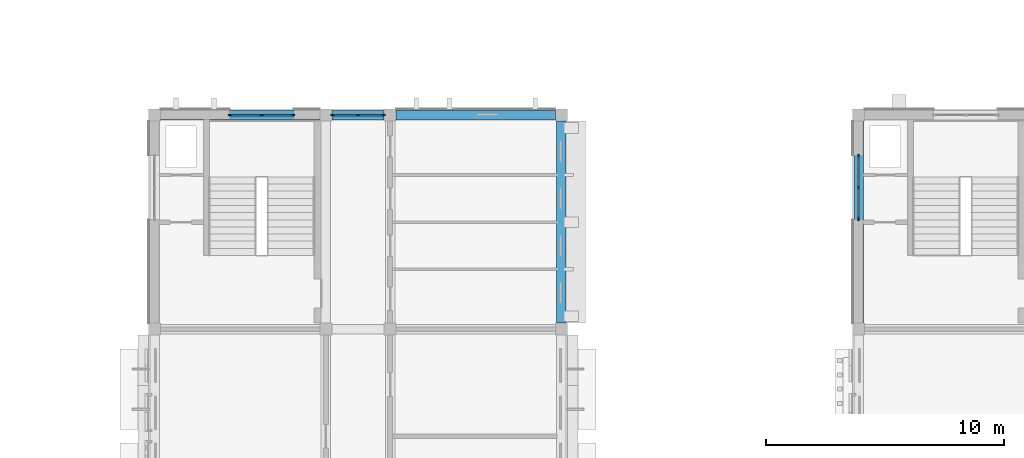
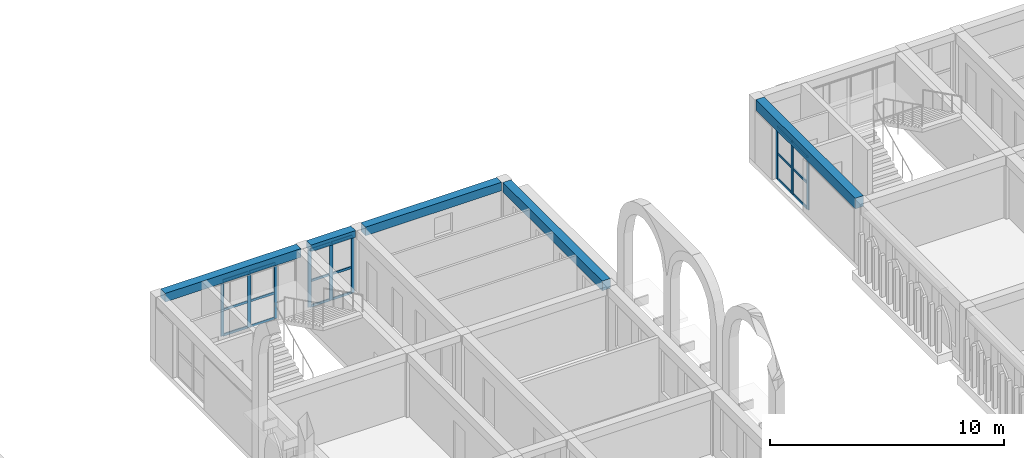
# One storey, part 21 of 70: 27 members, 5 beams, 3 elements without a shape of their own.
"""IFC4 building model written with IfcOpenShell, lengths in metres."""

from ifc_helpers import new_model, si_unit, direction, frame, origin, origin_2d, place, context, subcontext, project, spatial, rectangle, extrude, material, layer, layer_set, material_profile, profile_set, type_object, element, aggregate, save


model = new_model("IFC4")

# Units and contexts
model_context = context("Model", 3, precision=1e-05, world=origin(), true_north=direction((0.0, 1.0)))
body_context = subcontext(model_context, "Body", "Model", "MODEL_VIEW")
ifc_project = project(units=[si_unit("LENGTHUNIT", "METRE"), si_unit("AREAUNIT", "SQUARE_METRE"), si_unit("VOLUMEUNIT", "CUBIC_METRE"), si_unit("PLANEANGLEUNIT", "RADIAN"), si_unit("MASSUNIT", "GRAM", prefix="KILO")], contexts=[model_context])

# Site, building, storey
site_placement = place(None, origin())
site = spatial("IfcSite", under=ifc_project, at=site_placement, CompositionType="ELEMENT")
building_placement = place(site_placement, origin())
building = spatial("IfcBuilding", under=site, at=building_placement, Name="Elbe Cascade School", CompositionType="ELEMENT")
storey_placement = place(building_placement, frame((0.0, 0.0, 8.10009765625)))
storey = spatial("IfcBuildingStorey", under=building, at=storey_placement, Name="L02", CompositionType="ELEMENT", Elevation=8.10009765625)

# Curtain wall, members
ifc_material_1 = material(Name="Aluminium frame with double glazing, bronze anodised", Category="aluminium")
ifc_layer = layer(ifc_material_1, 0.159912109375)
ifc_layer_set = layer_set([ifc_layer], Name="Aluminium frame with double glazing, bronze anodised")
curtain_wall_type = type_object("IfcCurtainWallType", Name="Bars envelope Curtain wall, aluminium, bronze anodised, storey-high slot", PredefinedType="NOTDEFINED", material=ifc_layer_set)
curtain_wall_1_placement = place(storey_placement, origin())
curtain_wall_1 = element("IfcCurtainWall", 1, at=curtain_wall_1_placement, inside=storey, type_object=curtain_wall_type, Name="Curtain wall CW4 B.L02.n1", PredefinedType="NOTDEFINED")
ifc_material_2 = material(Name="Aluminium mullion, bronze anodised", Category="aluminium")
ifc_material_profile_1 = material_profile(ifc_material_2, rectangle(XDim=0.06005859375, YDim=0.159912109375, at=origin_2d()), Name="Bars envelope Curtain wall mullion 60 x 160, aluminium, storey-high slot")
ifc_profile_set_1 = profile_set([ifc_material_profile_1], Name="Aluminium mullion, bronze anodised")
member_type_1 = type_object("IfcMemberType", Name="Bars envelope Curtain wall mullion 60 x 160, aluminium, storey-high slot", PredefinedType="MULLION", material=ifc_profile_set_1)
member_1_placement = place(storey_placement, frame((101.780029296875, 60.0, 0.0), z_axis=(0.0, 0.0, 1.0), x_axis=(0.0, 1.0, 0.0)))
member_1 = element("IfcMember", 2, at=member_1_placement, type_object=member_type_1, Name="CW4 mullion 1", PredefinedType="MULLION", context=body_context, shape_type="SweptSolid", body=[
    extrude(rectangle(XDim=0.06005859375, YDim=0.159912109375, at=origin_2d()), origin(), (0.0, 0.0, 1.0), 2.89990234375),
])
member_2_placement = place(storey_placement, frame((103.10009765625, 60.0, 0.0), z_axis=(0.0, 0.0, 1.0), x_axis=(0.0, 1.0, 0.0)))
member_2 = element("IfcMember", 3, at=member_2_placement, type_object=member_type_1, Name="CW4 mullion 2", PredefinedType="MULLION", context=body_context, shape_type="SweptSolid", body=[
    extrude(rectangle(XDim=0.06005859375, YDim=0.159912109375, at=origin_2d()), origin(), (0.0, 0.0, 1.0), 2.89990234375),
])
member_3_placement = place(storey_placement, frame((104.419921875, 60.0, 0.0), z_axis=(0.0, 0.0, 1.0), x_axis=(0.0, 1.0, 0.0)))
member_3 = element("IfcMember", 4, at=member_3_placement, type_object=member_type_1, Name="CW4 mullion 3", PredefinedType="MULLION", context=body_context, shape_type="SweptSolid", body=[
    extrude(rectangle(XDim=0.06005859375, YDim=0.159912109375, at=origin_2d()), origin(), (0.0, 0.0, 1.0), 2.89990234375),
])

curtain_wall_2_placement = place(storey_placement, origin())
curtain_wall_2 = element("IfcCurtainWall", 5, at=curtain_wall_2_placement, inside=storey, type_object=curtain_wall_type, Name="Curtain wall CW4 B.L02.n2", PredefinedType="NOTDEFINED")
member_4_placement = place(storey_placement, frame((106.080078125, 60.0, 0.0), z_axis=(0.0, 0.0, 1.0), x_axis=(0.0, 1.0, 0.0)))
member_4 = element("IfcMember", 6, at=member_4_placement, type_object=member_type_1, Name="CW4 mullion 1", PredefinedType="MULLION", context=body_context, shape_type="SweptSolid", body=[
    extrude(rectangle(XDim=0.06005859375, YDim=0.159912109375, at=origin_2d()), origin(), (0.0, 0.0, 1.0), 3.0),
])
member_5_placement = place(storey_placement, frame((107.14990234375, 60.0, 0.0), z_axis=(0.0, 0.0, 1.0), x_axis=(0.0, 1.0, 0.0)))
member_5 = element("IfcMember", 7, at=member_5_placement, type_object=member_type_1, Name="CW4 mullion 2", PredefinedType="MULLION", context=body_context, shape_type="SweptSolid", body=[
    extrude(rectangle(XDim=0.06005859375, YDim=0.159912109375, at=origin_2d()), origin(), (0.0, 0.0, 1.0), 3.0),
])
member_6_placement = place(storey_placement, frame((108.219970703125, 60.0, 0.0), z_axis=(0.0, 0.0, 1.0), x_axis=(0.0, 1.0, 0.0)))
member_6 = element("IfcMember", 8, at=member_6_placement, type_object=member_type_1, Name="CW4 mullion 3", PredefinedType="MULLION", context=body_context, shape_type="SweptSolid", body=[
    extrude(rectangle(XDim=0.06005859375, YDim=0.159912109375, at=origin_2d()), origin(), (0.0, 0.0, 1.0), 3.0),
])

curtain_wall_3_placement = place(storey_placement, origin())
curtain_wall_3 = element("IfcCurtainWall", 9, at=curtain_wall_3_placement, inside=storey, type_object=curtain_wall_type, Name="Curtain wall CW4 C.L02.w6", PredefinedType="NOTDEFINED")
member_7_placement = place(storey_placement, frame((128.199951171875, 55.639892578125, 0.0), z_axis=(0.0, 0.0, 1.0), x_axis=(-1.0, 0.0, 0.0)))
member_7 = element("IfcMember", 10, at=member_7_placement, type_object=member_type_1, Name="CW4 mullion 1", PredefinedType="MULLION", context=body_context, shape_type="SweptSolid", body=[
    extrude(rectangle(XDim=0.06005859375, YDim=0.159912109375, at=origin_2d()), origin(), (0.0, 0.0, 1.0), 2.75),
])
member_8_placement = place(storey_placement, frame((128.199951171875, 56.9599609375, 0.0), z_axis=(0.0, 0.0, 1.0), x_axis=(-1.0, 0.0, 0.0)))
member_8 = element("IfcMember", 11, at=member_8_placement, type_object=member_type_1, Name="CW4 mullion 2", PredefinedType="MULLION", context=body_context, shape_type="SweptSolid", body=[
    extrude(rectangle(XDim=0.06005859375, YDim=0.159912109375, at=origin_2d()), origin(), (0.0, 0.0, 1.0), 2.75),
])
member_9_placement = place(storey_placement, frame((128.199951171875, 58.280029296875, 0.0), z_axis=(0.0, 0.0, 1.0), x_axis=(-1.0, 0.0, 0.0)))
member_9 = element("IfcMember", 12, at=member_9_placement, type_object=member_type_1, Name="CW4 mullion 3", PredefinedType="MULLION", context=body_context, shape_type="SweptSolid", body=[
    extrude(rectangle(XDim=0.06005859375, YDim=0.159912109375, at=origin_2d()), origin(), (0.0, 0.0, 1.0), 2.75),
])

# Member
ifc_material_3 = material(Name="Aluminium transom, bronze anodised", Category="aluminium")
ifc_material_profile_2 = material_profile(ifc_material_3, rectangle(XDim=0.06005859375, YDim=0.1201171875, at=origin_2d()), Name="Bars envelope Curtain wall transom 60 x 120, aluminium, storey-high slot")
ifc_profile_set_2 = profile_set([ifc_material_profile_2], Name="Aluminium transom, bronze anodised")
member_type_2 = type_object("IfcMemberType", Name="Bars envelope Curtain wall transom 60 x 120, aluminium, storey-high slot", PredefinedType="USERDEFINED", material=ifc_profile_set_2)
member_10_placement = place(storey_placement, frame((101.81005859375, 60.0, 0.02978515625), z_axis=(1.0, 0.0, 0.0), x_axis=(0.0, 1.0, 0.0)))
member_10 = element("IfcMember", 13, at=member_10_placement, type_object=member_type_2, Name="CW4 transom 1.1", ObjectType="TRANSOM", PredefinedType="USERDEFINED", context=body_context, shape_type="SweptSolid", body=[
    extrude(rectangle(XDim=0.06005859375, YDim=0.1201171875, at=origin_2d()), origin(), (0.0, 0.0, 1.0), 1.260009765625),
])

member_11_placement = place(storey_placement, frame((101.81005859375, 60.0, 1.349853515625), z_axis=(1.0, 0.0, 0.0), x_axis=(0.0, 1.0, 0.0)))
member_11 = element("IfcMember", 14, at=member_11_placement, type_object=member_type_2, Name="CW4 transom 1.2", ObjectType="TRANSOM", PredefinedType="USERDEFINED", context=body_context, shape_type="SweptSolid", body=[
    extrude(rectangle(XDim=0.06005859375, YDim=0.1201171875, at=origin_2d()), origin(), (0.0, 0.0, 1.0), 1.260009765625),
])

member_12_placement = place(storey_placement, frame((101.81005859375, 60.0, 2.869873046875), z_axis=(1.0, 0.0, 0.0), x_axis=(0.0, 1.0, 0.0)))
member_12 = element("IfcMember", 15, at=member_12_placement, type_object=member_type_2, Name="CW4 transom 1.3", ObjectType="TRANSOM", PredefinedType="USERDEFINED", context=body_context, shape_type="SweptSolid", body=[
    extrude(rectangle(XDim=0.06005859375, YDim=0.1201171875, at=origin_2d()), origin(), (0.0, 0.0, 1.0), 1.260009765625),
])

member_13_placement = place(storey_placement, frame((103.1298828125, 60.0, 0.02978515625), z_axis=(1.0, 0.0, 0.0), x_axis=(0.0, 1.0, 0.0)))
member_13 = element("IfcMember", 16, at=member_13_placement, type_object=member_type_2, Name="CW4 transom 2.1", ObjectType="TRANSOM", PredefinedType="USERDEFINED", context=body_context, shape_type="SweptSolid", body=[
    extrude(rectangle(XDim=0.06005859375, YDim=0.1201171875, at=origin_2d()), origin(), (0.0, 0.0, 1.0), 1.260009765625),
])

member_14_placement = place(storey_placement, frame((103.1298828125, 60.0, 1.349853515625), z_axis=(1.0, 0.0, 0.0), x_axis=(0.0, 1.0, 0.0)))
member_14 = element("IfcMember", 17, at=member_14_placement, type_object=member_type_2, Name="CW4 transom 2.2", ObjectType="TRANSOM", PredefinedType="USERDEFINED", context=body_context, shape_type="SweptSolid", body=[
    extrude(rectangle(XDim=0.06005859375, YDim=0.1201171875, at=origin_2d()), origin(), (0.0, 0.0, 1.0), 1.260009765625),
])

member_15_placement = place(storey_placement, frame((103.1298828125, 60.0, 2.869873046875), z_axis=(1.0, 0.0, 0.0), x_axis=(0.0, 1.0, 0.0)))
member_15 = element("IfcMember", 18, at=member_15_placement, type_object=member_type_2, Name="CW4 transom 2.3", ObjectType="TRANSOM", PredefinedType="USERDEFINED", context=body_context, shape_type="SweptSolid", body=[
    extrude(rectangle(XDim=0.06005859375, YDim=0.1201171875, at=origin_2d()), origin(), (0.0, 0.0, 1.0), 1.260009765625),
])

aggregate(curtain_wall_1, [member_1, member_2, member_3, member_10, member_11, member_12, member_13, member_14, member_15])

member_16_placement = place(storey_placement, frame((106.110107421875, 60.0, 0.02978515625), z_axis=(1.0, 0.0, 0.0), x_axis=(0.0, 1.0, 0.0)))
member_16 = element("IfcMember", 19, at=member_16_placement, type_object=member_type_2, Name="CW4 transom 1.1", ObjectType="TRANSOM", PredefinedType="USERDEFINED", context=body_context, shape_type="SweptSolid", body=[
    extrude(rectangle(XDim=0.06005859375, YDim=0.1201171875, at=origin_2d()), origin(), (0.0, 0.0, 1.0), 1.010009765625),
])

member_17_placement = place(storey_placement, frame((106.110107421875, 60.0, 1.349853515625), z_axis=(1.0, 0.0, 0.0), x_axis=(0.0, 1.0, 0.0)))
member_17 = element("IfcMember", 20, at=member_17_placement, type_object=member_type_2, Name="CW4 transom 1.2", ObjectType="TRANSOM", PredefinedType="USERDEFINED", context=body_context, shape_type="SweptSolid", body=[
    extrude(rectangle(XDim=0.06005859375, YDim=0.1201171875, at=origin_2d()), origin(), (0.0, 0.0, 1.0), 1.010009765625),
])

member_18_placement = place(storey_placement, frame((106.110107421875, 60.0, 2.969970703125), z_axis=(1.0, 0.0, 0.0), x_axis=(0.0, 1.0, 0.0)))
member_18 = element("IfcMember", 21, at=member_18_placement, type_object=member_type_2, Name="CW4 transom 1.3", ObjectType="TRANSOM", PredefinedType="USERDEFINED", context=body_context, shape_type="SweptSolid", body=[
    extrude(rectangle(XDim=0.06005859375, YDim=0.1201171875, at=origin_2d()), origin(), (0.0, 0.0, 1.0), 1.010009765625),
])

member_19_placement = place(storey_placement, frame((107.179931640625, 60.0, 0.02978515625), z_axis=(1.0, 0.0, 0.0), x_axis=(0.0, 1.0, 0.0)))
member_19 = element("IfcMember", 22, at=member_19_placement, type_object=member_type_2, Name="CW4 transom 2.1", ObjectType="TRANSOM", PredefinedType="USERDEFINED", context=body_context, shape_type="SweptSolid", body=[
    extrude(rectangle(XDim=0.06005859375, YDim=0.1201171875, at=origin_2d()), origin(), (0.0, 0.0, 1.0), 1.010009765625),
])

member_20_placement = place(storey_placement, frame((107.179931640625, 60.0, 1.349853515625), z_axis=(1.0, 0.0, 0.0), x_axis=(0.0, 1.0, 0.0)))
member_20 = element("IfcMember", 23, at=member_20_placement, type_object=member_type_2, Name="CW4 transom 2.2", ObjectType="TRANSOM", PredefinedType="USERDEFINED", context=body_context, shape_type="SweptSolid", body=[
    extrude(rectangle(XDim=0.06005859375, YDim=0.1201171875, at=origin_2d()), origin(), (0.0, 0.0, 1.0), 1.010009765625),
])

member_21_placement = place(storey_placement, frame((107.179931640625, 60.0, 2.969970703125), z_axis=(1.0, 0.0, 0.0), x_axis=(0.0, 1.0, 0.0)))
member_21 = element("IfcMember", 24, at=member_21_placement, type_object=member_type_2, Name="CW4 transom 2.3", ObjectType="TRANSOM", PredefinedType="USERDEFINED", context=body_context, shape_type="SweptSolid", body=[
    extrude(rectangle(XDim=0.06005859375, YDim=0.1201171875, at=origin_2d()), origin(), (0.0, 0.0, 1.0), 1.010009765625),
])

aggregate(curtain_wall_2, [member_4, member_5, member_6, member_16, member_17, member_18, member_19, member_20, member_21])

member_22_placement = place(storey_placement, frame((128.199951171875, 55.669921875, 0.02978515625), z_axis=(0.0, 1.0, 0.0), x_axis=(-1.0, 0.0, 0.0)))
member_22 = element("IfcMember", 25, at=member_22_placement, type_object=member_type_2, Name="CW4 transom 1.1", ObjectType="TRANSOM", PredefinedType="USERDEFINED", context=body_context, shape_type="SweptSolid", body=[
    extrude(rectangle(XDim=0.06005859375, YDim=0.1201171875, at=origin_2d()), origin(), (0.0, 0.0, 1.0), 1.260009765625),
])

member_23_placement = place(storey_placement, frame((128.199951171875, 55.669921875, 1.349853515625), z_axis=(0.0, 1.0, 0.0), x_axis=(-1.0, 0.0, 0.0)))
member_23 = element("IfcMember", 26, at=member_23_placement, type_object=member_type_2, Name="CW4 transom 1.2", ObjectType="TRANSOM", PredefinedType="USERDEFINED", context=body_context, shape_type="SweptSolid", body=[
    extrude(rectangle(XDim=0.06005859375, YDim=0.1201171875, at=origin_2d()), origin(), (0.0, 0.0, 1.0), 1.260009765625),
])

member_24_placement = place(storey_placement, frame((128.199951171875, 55.669921875, 2.719970703125), z_axis=(0.0, 1.0, 0.0), x_axis=(-1.0, 0.0, 0.0)))
member_24 = element("IfcMember", 27, at=member_24_placement, type_object=member_type_2, Name="CW4 transom 1.3", ObjectType="TRANSOM", PredefinedType="USERDEFINED", context=body_context, shape_type="SweptSolid", body=[
    extrude(rectangle(XDim=0.06005859375, YDim=0.1201171875, at=origin_2d()), origin(), (0.0, 0.0, 1.0), 1.260009765625),
])

member_25_placement = place(storey_placement, frame((128.199951171875, 56.989990234375, 0.02978515625), z_axis=(0.0, 1.0, 0.0), x_axis=(-1.0, 0.0, 0.0)))
member_25 = element("IfcMember", 28, at=member_25_placement, type_object=member_type_2, Name="CW4 transom 2.1", ObjectType="TRANSOM", PredefinedType="USERDEFINED", context=body_context, shape_type="SweptSolid", body=[
    extrude(rectangle(XDim=0.06005859375, YDim=0.1201171875, at=origin_2d()), origin(), (0.0, 0.0, 1.0), 1.260009765625),
])

member_26_placement = place(storey_placement, frame((128.199951171875, 56.989990234375, 1.349853515625), z_axis=(0.0, 1.0, 0.0), x_axis=(-1.0, 0.0, 0.0)))
member_26 = element("IfcMember", 29, at=member_26_placement, type_object=member_type_2, Name="CW4 transom 2.2", ObjectType="TRANSOM", PredefinedType="USERDEFINED", context=body_context, shape_type="SweptSolid", body=[
    extrude(rectangle(XDim=0.06005859375, YDim=0.1201171875, at=origin_2d()), origin(), (0.0, 0.0, 1.0), 1.260009765625),
])

member_27_placement = place(storey_placement, frame((128.199951171875, 56.989990234375, 2.719970703125), z_axis=(0.0, 1.0, 0.0), x_axis=(-1.0, 0.0, 0.0)))
member_27 = element("IfcMember", 30, at=member_27_placement, type_object=member_type_2, Name="CW4 transom 2.3", ObjectType="TRANSOM", PredefinedType="USERDEFINED", context=body_context, shape_type="SweptSolid", body=[
    extrude(rectangle(XDim=0.06005859375, YDim=0.1201171875, at=origin_2d()), origin(), (0.0, 0.0, 1.0), 1.260009765625),
])

aggregate(curtain_wall_3, [member_7, member_8, member_9, member_22, member_23, member_24, member_25, member_26, member_27])

# Beams
ifc_material_4 = material(Name="Concrete C30/37", Category="concrete")
ifc_material_profile_3 = material_profile(ifc_material_4, rectangle(XDim=0.39990234375, YDim=0.35009765625, at=origin_2d()), Name="RC 400x350")
ifc_profile_set_3 = profile_set([ifc_material_profile_3], Name="Concrete C30/37")
beam_type_1 = type_object("IfcBeamType", Name="RC 400x350 beam", PredefinedType="BEAM", material=ifc_profile_set_3)
beam_1_placement = place(storey_placement, frame((106.050048828125, 60.0, 3.1748046875), z_axis=(1.0, 0.0, 0.0), x_axis=(0.0, 1.0, 0.0)))
element("IfcBeam", 31, at=beam_1_placement, inside=storey, type_object=beam_type_1, Name="RC 400x350 beam B3", PredefinedType="BEAM", context=body_context, shape_type="SweptSolid", body=[
    extrude(rectangle(XDim=0.39990234375, YDim=0.35009765625, at=origin_2d()), origin(), (0.0, 0.0, 1.0), 2.199951171875),
])
ifc_material_5 = material(Name="Concrete C30/37", Category="concrete")
ifc_material_profile_4 = material_profile(ifc_material_5, rectangle(XDim=0.39990234375, YDim=0.449951171875, at=origin_2d()), Name="RC 400x450")
ifc_profile_set_4 = profile_set([ifc_material_profile_4], Name="Concrete C30/37")
beam_type_2 = type_object("IfcBeamType", Name="RC 400x450 beam", PredefinedType="BEAM", material=ifc_profile_set_4)
for number, where, z_axis, x_axis, name in (
    (32, (98.85009765625, 60.0, 3.125), (1.0, 0.0, 0.0), (0.0, 1.0, 0.0), "RC 400x450 beam B2"),
    (33, (108.75, 60.0, 3.125), (1.0, 0.0, 0.0), (0.0, 1.0, 0.0), "RC 400x450 beam B2"),
):
    element("IfcBeam", number, at=place(storey_placement, frame(where, z_axis=z_axis, x_axis=x_axis)), inside=storey, type_object=beam_type_2, Name=name, PredefinedType="BEAM", context=body_context, shape_type="SweptSolid", body=[
        extrude(rectangle(XDim=0.39990234375, YDim=0.449951171875, at=origin_2d()), origin(), (0.0, 0.0, 1.0), 6.699951171875),
    ])
ifc_material_6 = material(Name="Concrete C30/37", Category="concrete")
ifc_material_profile_5 = material_profile(ifc_material_6, rectangle(XDim=0.39990234375, YDim=0.5, at=origin_2d()), Name="RC 400x500")
ifc_profile_set_5 = profile_set([ifc_material_profile_5], Name="Concrete C30/37")
beam_type_3 = type_object("IfcBeamType", Name="RC 400x500 beam", PredefinedType="BEAM", material=ifc_profile_set_5)
beam_2_placement = place(storey_placement, frame((115.699951171875, 51.25, 3.099853515625), z_axis=(0.0, 1.0, 0.0), x_axis=(-1.0, 0.0, 0.0)))
element("IfcBeam", 34, at=beam_2_placement, inside=storey, type_object=beam_type_3, Name="RC 400x500 beam B1", PredefinedType="BEAM", context=body_context, shape_type="SweptSolid", body=[
    extrude(rectangle(XDim=0.39990234375, YDim=0.5, at=origin_2d()), origin(), (0.0, 0.0, 1.0), 8.5),
])
ifc_material_7 = material(Name="Concrete C30/37", Category="concrete")
ifc_material_profile_6 = material_profile(ifc_material_7, rectangle(XDim=0.39990234375, YDim=0.550048828125, at=origin_2d()), Name="RC 400x550")
ifc_profile_set_6 = profile_set([ifc_material_profile_6], Name="Concrete C30/37")
beam_type_4 = type_object("IfcBeamType", Name="RC 400x550 beam", PredefinedType="BEAM", material=ifc_profile_set_6)
beam_3_placement = place(storey_placement, frame((128.199951171875, 51.25, 3.02490234375), z_axis=(0.0, 1.0, 0.0), x_axis=(-1.0, 0.0, 0.0)))
element("IfcBeam", 35, at=beam_3_placement, inside=storey, type_object=beam_type_4, Name="RC 400x550 beam B4", PredefinedType="BEAM", context=body_context, shape_type="SweptSolid", body=[
    extrude(rectangle(XDim=0.39990234375, YDim=0.550048828125, at=origin_2d()), origin(), (0.0, 0.0, 1.0), 8.5),
])

save(model, "model.ifc")
